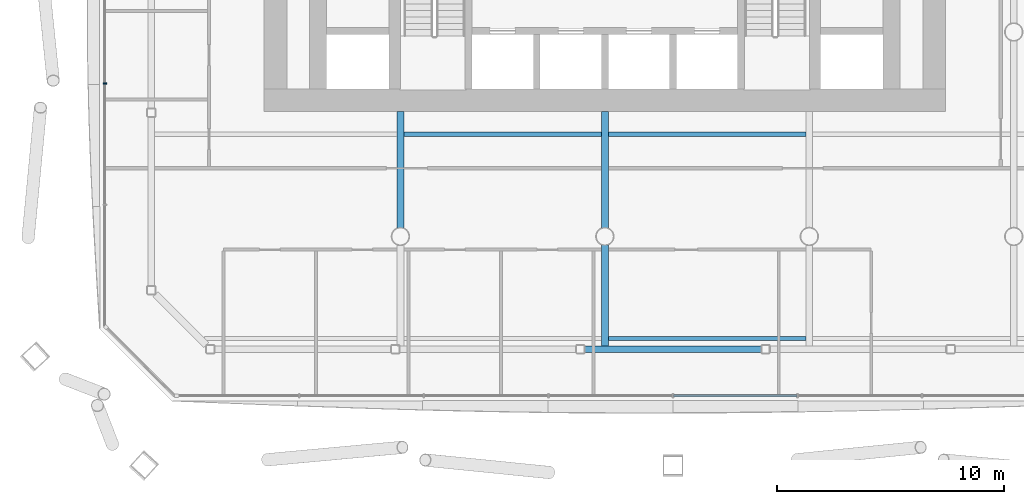
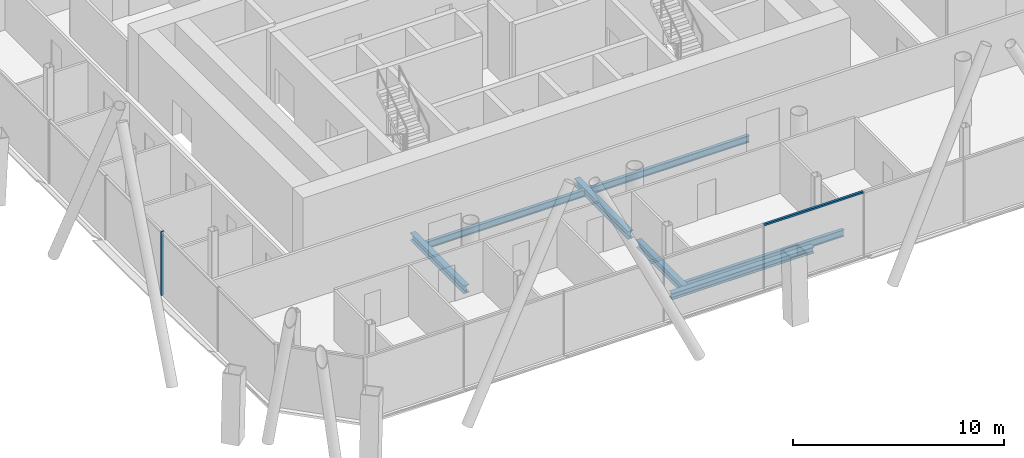
# One storey, part 4 of 22: 7 beams, 2 members, 2 elements without a shape of their own.
"""IFC4 building model written with IfcOpenShell, lengths in metres."""

import ifcopenshell
import ifcopenshell.guid

model = None  # the IFC model being written
_history = None  # IfcOwnerHistory: only IFC2X3 demands one
_inside = {}  # id of a spatial element -> (the spatial element, [elements in it])
_under = {}  # id of a project, library or spatial element -> (it, [spatial elements below it])
_declared = {}  # id of a project -> (the project, [libraries it declares])
_typed = {}  # id of a type object -> (the type object, [elements of that type])
_made_of = {}  # id of a material, layer set ... -> (it, [elements and type objects made of it])


def new_model(schema):
    """Start an empty IFC model of exactly this schema.

    Asked for "IFC4X3", IfcOpenShell would pick the latest addendum, in which some entities
    have other attributes; the version numbers below select the first issue.
    IFC2X3 requires an IfcOwnerHistory on every rooted entity: one is made here for all.
    """
    global model, _history
    if schema == "IFC4X3":
        model = ifcopenshell.file(schema_version=(4, 3, 0, 0))
    else:
        model = ifcopenshell.file(schema=schema)
    _inside.clear()
    _under.clear()
    _declared.clear()
    _typed.clear()
    _made_of.clear()
    _history = None
    if model.schema == "IFC2X3":
        org = make("IfcOrganization", Name="unknown")
        user = make(
            "IfcPersonAndOrganization",
            ThePerson=make("IfcPerson", FamilyName="unknown"),
            TheOrganization=org,
        )
        app = make(
            "IfcApplication",
            ApplicationDeveloper=org,
            Version="unknown",
            ApplicationFullName="unknown",
            ApplicationIdentifier="unknown",
        )
        _history = make(
            "IfcOwnerHistory",
            OwningUser=user,
            OwningApplication=app,
            ChangeAction="ADDED",
            CreationDate=0,
        )
    return model


def make(cls, **values):
    """One entity of the class cls with the attributes given. An attribute that is None is left unset."""
    return model.create_entity(
        cls, **{name: value for name, value in values.items() if value is not None}
    )


def rooted(cls, **values):
    """An entity with a GlobalId (a new one), such as an element, a storey or a relation."""
    return make(cls, GlobalId=ifcopenshell.guid.new(), OwnerHistory=_history, **values)


def si_unit(unit_type, name, prefix=None):
    """IfcSIUnit, for example si_unit("LENGTHUNIT", "METRE", prefix="MILLI")."""
    return make("IfcSIUnit", UnitType=unit_type, Prefix=prefix, Name=name)


def assignment(units):
    """IfcUnitAssignment: the units of a project."""
    return None if units is None else make("IfcUnitAssignment", Units=units)


def point(xyz):
    """IfcCartesianPoint."""
    return None if xyz is None else make("IfcCartesianPoint", Coordinates=xyz)


def direction(xyz):
    """IfcDirection."""
    return None if xyz is None else make("IfcDirection", DirectionRatios=xyz)


def frame(location, z_axis=None, x_axis=None):
    """IfcAxis2Placement3D, a coordinate frame: its origin and axes. An axis left out is left unset."""
    return make(
        "IfcAxis2Placement3D",
        Location=point(location),
        Axis=direction(z_axis),
        RefDirection=direction(x_axis),
    )


def frame_2d(location, x_axis=None):
    """IfcAxis2Placement2D, a coordinate frame in the plane: its origin and x axis."""
    return make(
        "IfcAxis2Placement2D", Location=point(location), RefDirection=direction(x_axis)
    )


def origin():
    """The frame at (0, 0, 0) with its axes left unset."""
    return frame((0.0, 0.0, 0.0))


def origin_2d():
    """The frame at (0, 0) in the plane with its x axis left unset."""
    return frame_2d((0.0, 0.0))


def place(relative_to, where):
    """IfcLocalPlacement: puts the frame where relative to a parent placement (None: the world)."""
    return make(
        "IfcLocalPlacement", PlacementRelTo=relative_to, RelativePlacement=where
    )


def context(
    kind, dimensions, precision=None, world=None, true_north=None, identifier=None
):
    """IfcGeometricRepresentationContext, for example the 3D "Model" context."""
    return make(
        "IfcGeometricRepresentationContext",
        ContextIdentifier=identifier,
        ContextType=kind,
        CoordinateSpaceDimension=dimensions,
        Precision=precision,
        WorldCoordinateSystem=world,
        TrueNorth=true_north,
    )


def subcontext(parent, identifier, kind, view, scale=None):
    """IfcGeometricRepresentationSubContext, for example "Body" below "Model"."""
    return make(
        "IfcGeometricRepresentationSubContext",
        ContextIdentifier=identifier,
        ContextType=kind,
        ParentContext=parent,
        TargetScale=scale,
        TargetView=view,
    )


def project(units=None, contexts=None):
    """IfcProject with its units and contexts."""
    return rooted(
        "IfcProject",
        Name="project",
        RepresentationContexts=contexts,
        UnitsInContext=assignment(units),
    )


def spatial(cls, under=None, at=None, **own):
    """A site, building, storey or space (cls), placed at a placement, below another one or the project."""
    s = rooted(cls, ObjectPlacement=at, **own)
    if under is not None:
        _under.setdefault(under.id(), (under, []))[1].append(s)
    return s


def profile(cls, at=None, kind="AREA", **sizes):
    """A parametric profile (cls). Its sizes go by their IFC names, for example OverallWidth=200.0."""
    return make(cls, ProfileType=kind, Position=at, **sizes)


def rectangle(**sizes):
    """IfcRectangleProfileDef."""
    return profile("IfcRectangleProfileDef", **sizes)


def i_section(**sizes):
    """IfcIShapeProfileDef."""
    return profile("IfcIShapeProfileDef", **sizes)


def extrude(swept, where, along, depth):
    """IfcExtrudedAreaSolid: the profile swept, set in the frame where, extruded along a direction by depth."""
    return make(
        "IfcExtrudedAreaSolid",
        SweptArea=swept,
        Position=where,
        ExtrudedDirection=direction(along),
        Depth=depth,
    )


def shape(context_of_items, identifier, shape_type, items):
    """IfcShapeRepresentation: the items that make up one representation, for example the "Body"."""
    return make(
        "IfcShapeRepresentation",
        ContextOfItems=context_of_items,
        RepresentationIdentifier=identifier,
        RepresentationType=shape_type,
        Items=items,
    )


def material(Name=None, Category=None):
    """IfcMaterial."""
    return make("IfcMaterial", Name=Name, Category=Category)


def material_profile(
    of_material, cross_section, Name=None, Category=None, Priority=None
):
    """IfcMaterialProfile: a cross section and its material."""
    return make(
        "IfcMaterialProfile",
        Name=Name,
        Material=of_material,
        Profile=cross_section,
        Priority=Priority,
        Category=Category,
    )


def profile_set(profiles, Name=None, composite=None):
    """IfcMaterialProfileSet."""
    return make(
        "IfcMaterialProfileSet",
        Name=Name,
        MaterialProfiles=profiles,
        CompositeProfile=composite,
    )


def made_of(thing, what):
    """Note that an element or type object is made of a material, layer set ...; save() writes the relation."""
    if what is not None:
        _made_of.setdefault(what.id(), (what, []))[1].append(thing)
    return thing


def type_object(cls, material=None, **own):
    """A type object (cls), such as IfcWallType, which elements share."""
    return made_of(rooted(cls, **own), material)


def element(
    cls,
    number,
    at=None,
    inside=None,
    cuts=None,
    type_object=None,
    material=None,
    context=None,
    identifier="Body",
    shape_type=None,
    held_by="IfcProductDefinitionShape",
    body=None,
    shapes=None,
    **own,
):
    """One element of the class cls, such as IfcWall. Its Tag is "e" and its number.

    at: its placement. inside: the storey or other place that contains it. cuts: it is an
    opening in that element (IfcRelVoidsElement). A single representation is given by context,
    identifier, shape_type and body (its items); several are given by shapes. held_by: the class
    of the entity that holds the representations. save() writes the other relations.
    """
    e = rooted(cls, Tag="e%d" % number, ObjectPlacement=at, **own)
    if body is not None:
        shapes = [shape(context, identifier, shape_type, body)]
    if shapes is not None:
        e.Representation = make(held_by, Representations=shapes)
    if inside is not None:
        _inside.setdefault(inside.id(), (inside, []))[1].append(e)
    if cuts is not None:
        rooted(
            "IfcRelVoidsElement", RelatingBuildingElement=cuts, RelatedOpeningElement=e
        )
    if type_object is not None:
        _typed.setdefault(type_object.id(), (type_object, []))[1].append(e)
    return made_of(e, material)


def aggregate(whole, parts):
    """IfcRelAggregates: a whole, such as a stair, and the parts it consists of."""
    return rooted("IfcRelAggregates", RelatingObject=whole, RelatedObjects=parts)


def save(model, path):
    """Write the relations noted so far, then the file.

    IfcRelAggregates (storeys below a building ...), IfcRelContainedInSpatialStructure (elements
    in a storey), IfcRelDefinesByType, IfcRelAssociatesMaterial and IfcRelDeclares: one each for
    every whole, place, type object, material and project.
    """
    for whole, parts in _under.values():
        aggregate(whole, parts)
    for where, things in _inside.values():
        rooted(
            "IfcRelContainedInSpatialStructure",
            RelatedElements=things,
            RelatingStructure=where,
        )
    for kind, things in _typed.values():
        rooted("IfcRelDefinesByType", RelatedObjects=things, RelatingType=kind)
    for what, things in _made_of.values():
        rooted("IfcRelAssociatesMaterial", RelatedObjects=things, RelatingMaterial=what)
    for by, libraries in _declared.values():
        rooted("IfcRelDeclares", RelatingContext=by, RelatedDefinitions=libraries)
    model.write(path)


model = new_model("IFC4")

# Units and contexts
model_context = context("Model", 3, precision=1e-05, world=origin(), true_north=direction((0.0, 1.0)))
body_context = subcontext(model_context, "Body", "Model", "MODEL_VIEW")
ifc_project = project(units=[si_unit("LENGTHUNIT", "METRE"), si_unit("AREAUNIT", "SQUARE_METRE"), si_unit("VOLUMEUNIT", "CUBIC_METRE"), si_unit("PLANEANGLEUNIT", "RADIAN"), si_unit("MASSUNIT", "GRAM", prefix="KILO")], contexts=[model_context])

# Site, building, storey
site_placement = place(None, origin())
site = spatial("IfcSite", under=ifc_project, at=site_placement, CompositionType="ELEMENT")
building_placement = place(site_placement, origin())
building = spatial("IfcBuilding", under=site, at=building_placement, Name="Tskaro Facet Tower", CompositionType="ELEMENT")
storey_placement = place(building_placement, frame((0.0, 0.0, 73.800048828125)))
storey = spatial("IfcBuildingStorey", under=building, at=storey_placement, Name="L17", CompositionType="ELEMENT", Elevation=73.800048828125)

# Curtain wall, member
ifc_material_1 = material(Name="Bronze anodised aluminium 6063-T6", Category="aluminium")
curtain_wall_type = type_object("IfcCurtainWallType", Name="Bronze office curtain wall (FW1)", PredefinedType="NOTDEFINED", material=ifc_material_1)
curtain_wall_1_placement = place(storey_placement, origin())
curtain_wall_1 = element("IfcCurtainWall", 1, at=curtain_wall_1_placement, inside=storey, type_object=curtain_wall_type, Name="FW1 west facet L17", PredefinedType="NOTDEFINED")
ifc_material_profile_1 = material_profile(ifc_material_1, rectangle(XDim=0.06005859375, YDim=0.159912109375, at=origin_2d()), Name="Mullion 60x160")
ifc_profile_set_1 = profile_set([ifc_material_profile_1], Name="Bronze anodised aluminium 6063-T6")
member_type_1 = type_object("IfcMemberType", Name="FW1 bronze mullion 60x160", PredefinedType="MULLION", material=ifc_profile_set_1)
member_1_placement = place(storey_placement, frame((-22.010986328125, -11.268310546875, 0.0), z_axis=(0.0, 0.0, 1.0), x_axis=(0.0, -1.0, 0.0)))
member_1 = element("IfcMember", 2, at=member_1_placement, type_object=member_type_1, Name="FW1 west mullion 6", PredefinedType="MULLION", context=body_context, shape_type="SweptSolid", body=[
    extrude(rectangle(XDim=0.06005859375, YDim=0.159912109375, at=origin_2d()), origin(), (0.0, 0.0, 1.0), 3.699951171875),
])
aggregate(curtain_wall_1, [member_1])

curtain_wall_2_placement = place(storey_placement, origin())
curtain_wall_2 = element("IfcCurtainWall", 3, at=curtain_wall_2_placement, inside=storey, type_object=curtain_wall_type, Name="FW1 south facet L17", PredefinedType="NOTDEFINED")
ifc_material_profile_2 = material_profile(ifc_material_1, rectangle(XDim=0.1201171875, YDim=0.10009765625, at=origin_2d()), Name="Transom 120x100")
ifc_profile_set_2 = profile_set([ifc_material_profile_2], Name="Bronze anodised aluminium 6063-T6")
member_type_2 = type_object("IfcMemberType", Name="FW1 bronze transom 120x100", PredefinedType="USERDEFINED", material=ifc_profile_set_2)
member_2_placement = place(storey_placement, frame((3.030029296875, -25.010986328125, 3.64990234375), z_axis=(1.0, 0.0, 0.0), x_axis=(0.0, 1.0, 0.0)))
member_2 = element("IfcMember", 4, at=member_2_placement, type_object=member_type_2, Name="FW1 south transom 5.1", ObjectType="TRANSOM", PredefinedType="USERDEFINED", context=body_context, shape_type="SweptSolid", body=[
    extrude(rectangle(XDim=0.1201171875, YDim=0.10009765625, at=origin_2d()), origin(), (0.0, 0.0, 1.0), 5.4248046875),
])
aggregate(curtain_wall_2, [member_2])

# Beams
ifc_material_2 = material(Name="Steel S355J2", Category="steel")
ifc_material_profile_3 = material_profile(ifc_material_2, i_section(OverallWidth=0.300048828125, OverallDepth=0.360107421875, WebThickness=0.012451171875, FlangeThickness=0.0224609375, FilletRadius=0.027099609375, at=origin_2d()), Name="HE 360 B")
ifc_profile_set_3 = profile_set([ifc_material_profile_3], Name="Steel S355J2")
beam_type_1 = type_object("IfcBeamType", Name="HE 360 B ring beam", PredefinedType="BEAM", material=ifc_profile_set_3)
beam_1_placement = place(storey_placement, frame((-0.89306640625, -22.965087890625, -0.320068359375), z_axis=(1.0, 0.0, 0.0), x_axis=(0.0, 1.0, 0.0)))
element("IfcBeam", 5, at=beam_1_placement, inside=storey, type_object=beam_type_1, Name="HE 360 B EB3-2", PredefinedType="BEAM", context=body_context, shape_type="SweptSolid", body=[
    extrude(i_section(OverallWidth=0.300048828125, OverallDepth=0.360107421875, WebThickness=0.012451171875, FlangeThickness=0.0224609375, FilletRadius=0.027099609375, at=origin_2d()), origin(), (0.0, 0.0, 1.0), 7.7861328125),
])
ifc_material_profile_4 = material_profile(ifc_material_2, i_section(OverallWidth=0.300048828125, OverallDepth=0.43994140625, WebThickness=0.011474609375, FlangeThickness=0.02099609375, FilletRadius=0.027099609375, at=origin_2d()), Name="HE 450 A")
ifc_profile_set_4 = profile_set([ifc_material_profile_4], Name="Steel S355J2")
beam_type_2 = type_object("IfcBeamType", Name="HE 450 A girder", PredefinedType="BEAM", material=ifc_profile_set_4)
beam_2_placement = place(storey_placement, frame((-9.0, -17.62353515625, -0.360107421875), z_axis=(0.0, 1.0, 0.0), x_axis=(-1.0, 0.0, 0.0)))
element("IfcBeam", 6, at=beam_2_placement, inside=storey, type_object=beam_type_2, Name="HE 450 A GB3-2-2", PredefinedType="BEAM", context=body_context, shape_type="SweptSolid", body=[
    extrude(i_section(OverallWidth=0.300048828125, OverallDepth=0.43994140625, WebThickness=0.011474609375, FlangeThickness=0.02099609375, FilletRadius=0.027099609375, at=origin_2d()), origin(), (0.0, 0.0, 1.0), 5.12353515625),
])
beam_3_placement = place(storey_placement, frame((0.0, -22.81494140625, -0.360107421875), z_axis=(0.0, 1.0, 0.0), x_axis=(-1.0, 0.0, 0.0)))
element("IfcBeam", 7, at=beam_3_placement, inside=storey, type_object=beam_type_2, Name="HE 450 A GB4-1-2", PredefinedType="BEAM", context=body_context, shape_type="SweptSolid", body=[
    extrude(i_section(OverallWidth=0.300048828125, OverallDepth=0.43994140625, WebThickness=0.011474609375, FlangeThickness=0.02099609375, FilletRadius=0.027099609375, at=origin_2d()), origin(), (0.0, 0.0, 1.0), 4.4384765625),
])
beam_4_placement = place(storey_placement, frame((0.0, -17.62353515625, -0.360107421875), z_axis=(0.0, 1.0, 0.0), x_axis=(-1.0, 0.0, 0.0)))
element("IfcBeam", 8, at=beam_4_placement, inside=storey, type_object=beam_type_2, Name="HE 450 A GB4-2-2", PredefinedType="BEAM", context=body_context, shape_type="SweptSolid", body=[
    extrude(i_section(OverallWidth=0.300048828125, OverallDepth=0.43994140625, WebThickness=0.011474609375, FlangeThickness=0.02099609375, FilletRadius=0.027099609375, at=origin_2d()), origin(), (0.0, 0.0, 1.0), 5.12353515625),
])
ifc_material_profile_5 = material_profile(ifc_material_2, i_section(OverallWidth=0.179931640625, OverallDepth=0.39990234375, WebThickness=0.008544921875, FlangeThickness=0.013427734375, FilletRadius=0.02099609375, at=origin_2d()), Name="IPE 400")
ifc_profile_set_5 = profile_set([ifc_material_profile_5], Name="Steel S355J2")
beam_type_3 = type_object("IfcBeamType", Name="IPE 400 secondary beam", PredefinedType="BEAM", material=ifc_profile_set_5)
for number, where, z_axis, x_axis, name in (
    (9, (0.14990234375, -22.5, -0.340087890625), (1.0, 0.0, 0.0), (0.0, 1.0, 0.0), "IPE 400 SB1a-3-2"),
    (10, (-8.85009765625, -13.5, -0.340087890625), (1.0, 0.0, 0.0), (0.0, 1.0, 0.0), "IPE 400 SB2a-2-2"),
    (11, (0.14990234375, -13.5, -0.340087890625), (1.0, 0.0, 0.0), (0.0, 1.0, 0.0), "IPE 400 SB2a-3-2"),
):
    element("IfcBeam", number, at=place(storey_placement, frame(where, z_axis=z_axis, x_axis=x_axis)), inside=storey, type_object=beam_type_3, Name=name, PredefinedType="BEAM", context=body_context, shape_type="SweptSolid", body=[
        extrude(i_section(OverallWidth=0.179931640625, OverallDepth=0.39990234375, WebThickness=0.008544921875, FlangeThickness=0.013427734375, FilletRadius=0.02099609375, at=origin_2d()), origin(), (0.0, 0.0, 1.0), 8.7001953125),
    ])

save(model, "model.ifc")
